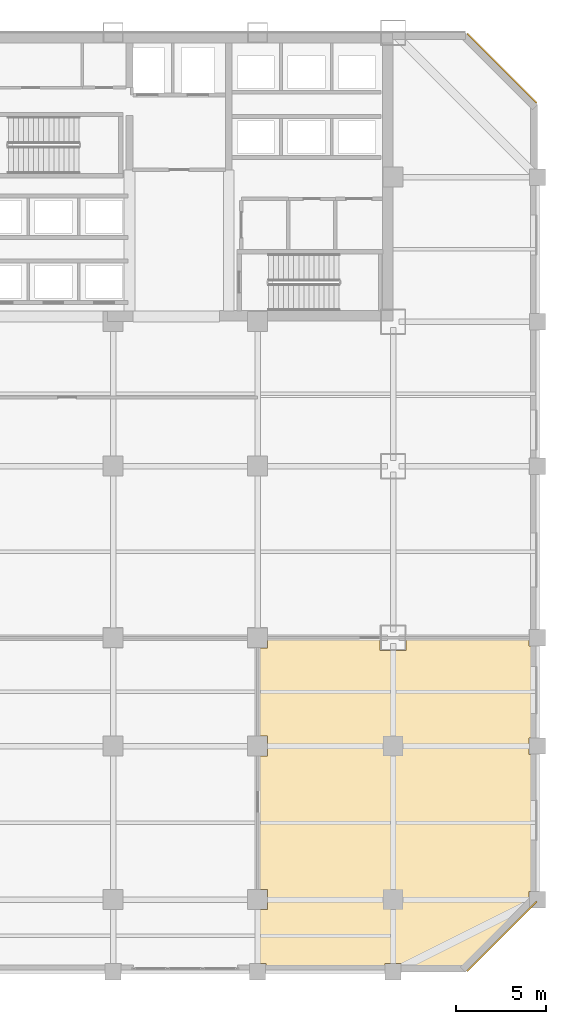
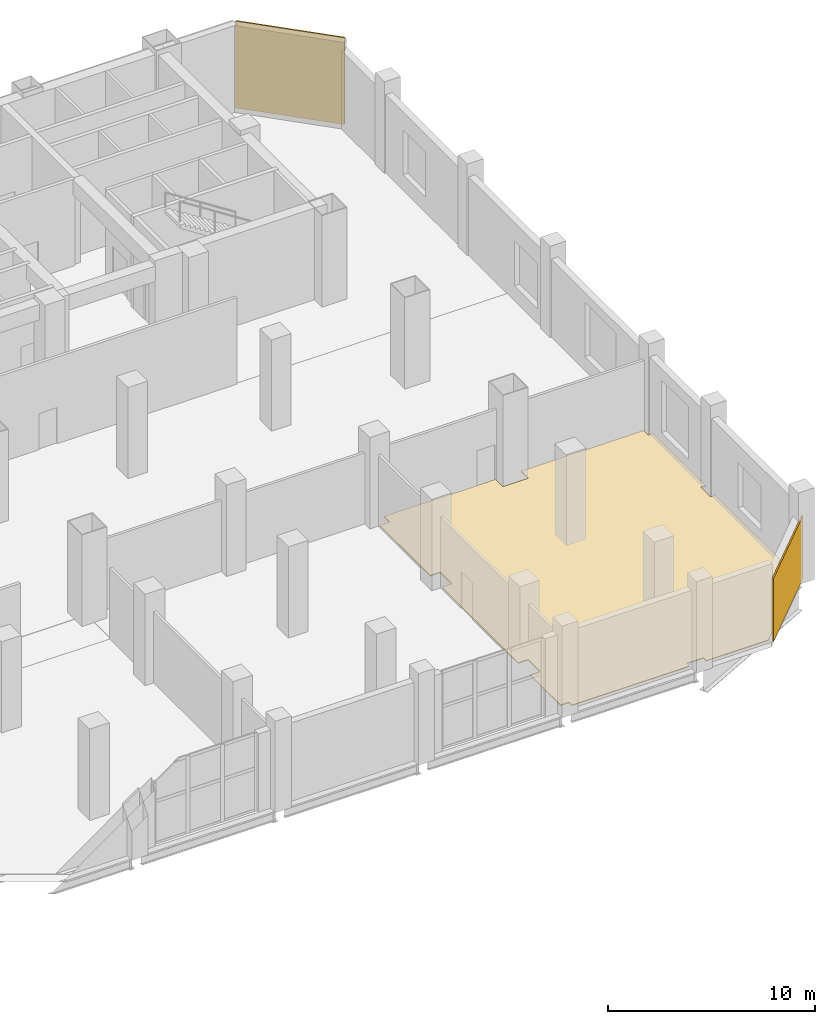
# One storey, part 18 of 18: 3 coverings.
"""IFC4 building model written with IfcOpenShell, lengths in metres."""

from ifc_helpers import new_model, si_unit, direction, frame, origin, origin_2d, place, context, subcontext, project, spatial, polyline, rectangle, outline, extrude, material, layer, layer_set, type_object, element, save


model = new_model("IFC4")

# Units and contexts
model_context = context("Model", 3, precision=1e-05, world=origin(), true_north=direction((0.0, 1.0)))
body_context = subcontext(model_context, "Body", "Model", "MODEL_VIEW")
ifc_project = project(units=[si_unit("LENGTHUNIT", "METRE"), si_unit("AREAUNIT", "SQUARE_METRE"), si_unit("VOLUMEUNIT", "CUBIC_METRE"), si_unit("PLANEANGLEUNIT", "RADIAN"), si_unit("MASSUNIT", "GRAM", prefix="KILO")], contexts=[model_context])

# Site, building, storey
site_placement = place(None, origin())
site = spatial("IfcSite", under=ifc_project, at=site_placement, CompositionType="ELEMENT")
building_placement = place(site_placement, origin())
building = spatial("IfcBuilding", under=site, at=building_placement, Name="Qianrong Seaharbour Tower", CompositionType="ELEMENT")
storey_placement = place(building_placement, frame((0.0, 0.0, 6.0)))
storey = spatial("IfcBuildingStorey", under=building, at=storey_placement, Name="L02", CompositionType="ELEMENT", Elevation=6.0)

# Coverings
ifc_material_1 = material(Name="Unitised red brick cladding on Precast concrete C45/55", Category="masonry")
ifc_layer_1 = layer(ifc_material_1, 0.080078125)
ifc_layer_set_1 = layer_set([ifc_layer_1], Name="Unitised red brick cladding on Precast concrete C45/55")
covering_type_1 = type_object("IfcCoveringType", Name="COV-CLAD-RED-BRICK-80", PredefinedType="CLADDING", material=ifc_layer_set_1)
covering_1_placement = place(storey_placement, frame((70.0283203125, 50.0283203125, 0.0), z_axis=(0.0, 0.0, 1.0), x_axis=(0.707106781187, -0.707106781187, 0.0)))
element("IfcCovering", 1, at=covering_1_placement, inside=storey, type_object=covering_type_1, Name="L02 Chamfer Corner Brick Cladding 03", PredefinedType="CLADDING", context=body_context, shape_type="SweptSolid", body=[
    extrude(rectangle(XDim=5.456787109375, YDim=0.080078125, at=origin_2d()), origin(), (0.0, 0.0, 1.0), 5.1201171875),
])
covering_2_placement = place(storey_placement, frame((70.0283203125, 1.9716796875, 0.0), z_axis=(0.0, 0.0, 1.0), x_axis=(-0.707106781187, -0.707106781187, 0.0)))
element("IfcCovering", 2, at=covering_2_placement, inside=storey, type_object=covering_type_1, Name="L02 Chamfer Corner Brick Cladding 05", PredefinedType="CLADDING", context=body_context, shape_type="SweptSolid", body=[
    extrude(rectangle(XDim=5.456787109375, YDim=0.080078125, at=origin_2d()), origin(), (0.0, 0.0, 1.0), 3.719970703125),
])
ifc_material_2 = material(Name="Calcium-sulphate raised access floor tile")
ifc_layer_2 = layer(ifc_material_2, 0.044921875)
ifc_layer_set_2 = layer_set([ifc_layer_2], Name="Calcium-sulphate raised access floor tile")
covering_type_2 = type_object("IfcCoveringType", Name="COV-FLOOR-RAISED-45", PredefinedType="FLOORING", material=ifc_layer_set_2)
covering_3_placement = place(storey_placement, origin())
element("IfcCovering", 3, at=covering_3_placement, inside=storey, type_object=covering_type_2, Name="L02 Visitor Business Office Finish Flooring", PredefinedType="FLOORING", context=body_context, shape_type="SweptSolid", body=[
    extrude(outline(polyline([(71.81494140625, 12.9599609375), (71.5400390625, 12.9599609375), (71.5400390625, 12.0400390625), (71.81494140625, 12.0400390625), (71.81494140625, 4.4599609375), (71.5400390625, 4.4599609375), (71.5400390625, 3.801513671875), (67.92333984375, 0.18505859375), (64.4599609375, 0.18505859375), (64.4599609375, 0.4599609375), (63.5400390625, 0.4599609375), (63.5400390625, 0.18505859375), (56.9599609375, 0.18505859375), (56.9599609375, 0.4599609375), (56.5, 0.4599609375), (56.5, 3.43994140625), (57.06005859375, 3.43994140625), (57.06005859375, 4.56005859375), (56.5, 4.56005859375), (56.5, 11.93994140625), (57.06005859375, 11.93994140625), (57.06005859375, 13.06005859375), (56.5, 13.06005859375), (56.5, 17.93994140625), (57.06005859375, 17.93994140625), (57.06005859375, 18.5), (63.2900390625, 18.5), (63.2900390625, 17.7900390625), (64.7099609375, 17.7900390625), (64.7099609375, 18.5), (71.5400390625, 18.5), (71.5400390625, 18.0400390625), (71.81494140625, 18.0400390625), (71.81494140625, 12.9599609375)])), origin(), (0.0, 0.0, 1.0), 0.044921875),
])

save(model, "model.ifc")
